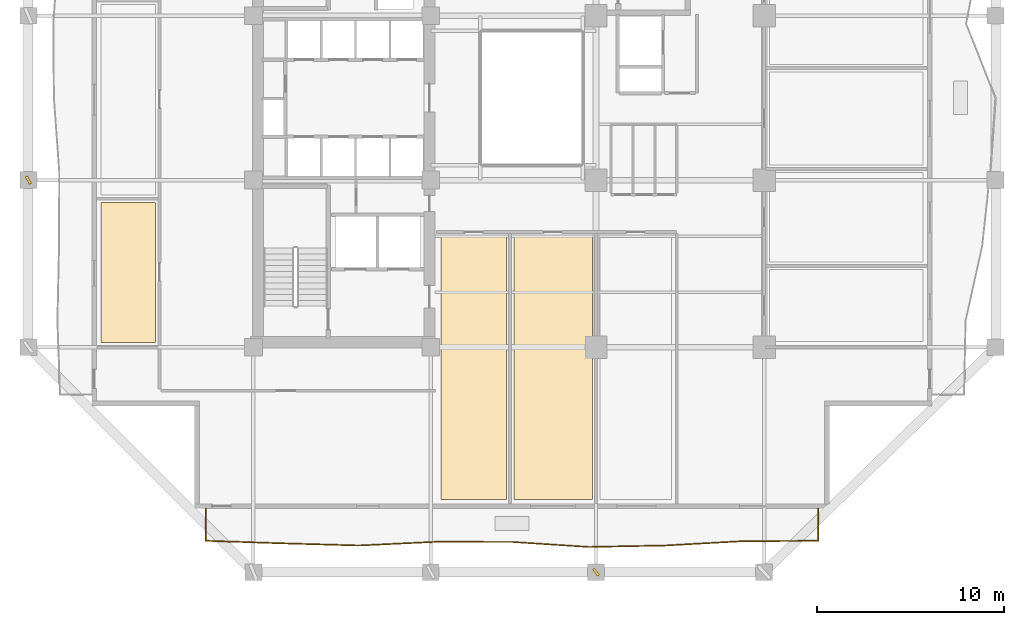
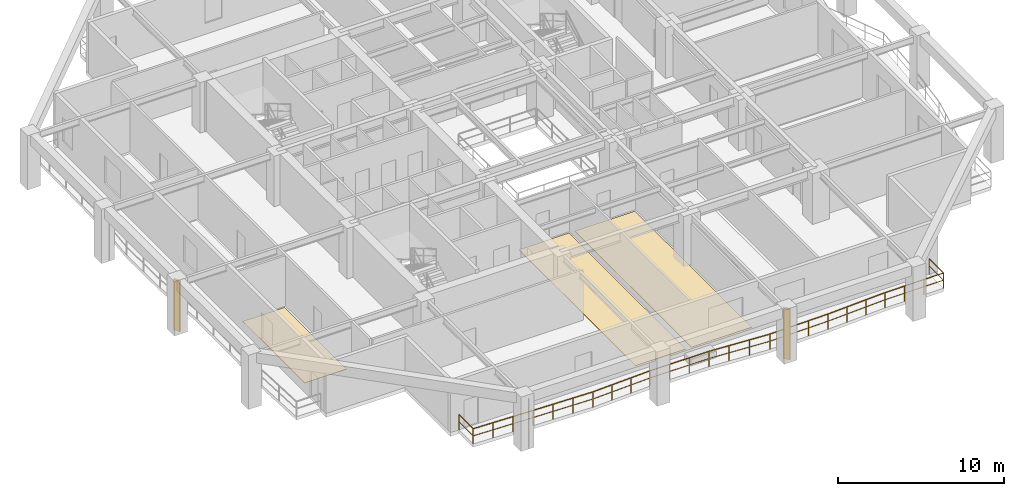
# One storey, part 8 of 13: 3 coverings, 2 shading devices, 1 railing.
"""IFC4 building model written with IfcOpenShell, lengths in metres."""

from ifc_helpers import new_model, si_unit, direction, frame, origin, origin_2d, place, context, subcontext, project, spatial, polyline, rectangle, outline, extrude, material, layer, layer_set, type_object, element, save


model = new_model("IFC4")

# Units and contexts
model_context = context("Model", 3, precision=1e-05, world=origin(), true_north=direction((0.0, 1.0)))
body_context = subcontext(model_context, "Body", "Model", "MODEL_VIEW")
ifc_project = project(units=[si_unit("LENGTHUNIT", "METRE"), si_unit("AREAUNIT", "SQUARE_METRE"), si_unit("VOLUMEUNIT", "CUBIC_METRE"), si_unit("PLANEANGLEUNIT", "RADIAN"), si_unit("MASSUNIT", "GRAM", prefix="KILO")], contexts=[model_context])

# Site, building, storey
site_placement = place(None, origin())
site = spatial("IfcSite", under=ifc_project, at=site_placement, CompositionType="ELEMENT")
building_placement = place(site_placement, origin())
building = spatial("IfcBuilding", under=site, at=building_placement, Name="Kundavana Baori Tower", CompositionType="ELEMENT")
storey_placement = place(building_placement, frame((0.0, 0.0, 50.0)))
storey = spatial("IfcBuildingStorey", under=building, at=storey_placement, Name="L11", CompositionType="ELEMENT", Elevation=50.0)

# Coverings
ifc_material_1 = material(Name="Honed Kota Stone and Terrazzo Flooring", Category="masonry")
ifc_layer = layer(ifc_material_1, 0.030029296875, Name="COV-INT-FLR")
ifc_layer_set = layer_set([ifc_layer], Name="Honed Kota Stone and Terrazzo Flooring")
covering_type = type_object("IfcCoveringType", Name="COV-INT-FLR", PredefinedType="FLOORING", material=ifc_layer_set)
covering_1_placement = place(storey_placement, origin())
element("IfcCovering", 1, at=covering_1_placement, inside=storey, type_object=covering_type, Name="L11 Room Finished Stone Flooring 1", PredefinedType="FLOORING", context=body_context, shape_type="SweptSolid", body=[
    extrude(outline(polyline([(7.280029296875, 15.5), (10.199951171875, 15.5), (10.199951171875, 23.0), (7.280029296875, 23.0), (7.280029296875, 15.5)])), origin(), (0.0, 0.0, 1.0), 0.030029296875),
])
covering_2_placement = place(storey_placement, origin())
element("IfcCovering", 2, at=covering_2_placement, inside=storey, type_object=covering_type, Name="L11 Room Finished Stone Flooring 4", PredefinedType="FLOORING", context=body_context, shape_type="SweptSolid", body=[
    extrude(outline(polyline([(25.5, 7.080078125), (29.0, 7.080078125), (29.0, 21.199951171875), (25.5, 21.199951171875), (25.5, 7.080078125)])), origin(), (0.0, 0.0, 1.0), 0.030029296875),
])
covering_3_placement = place(storey_placement, origin())
element("IfcCovering", 3, at=covering_3_placement, inside=storey, type_object=covering_type, Name="L11 Room Finished Stone Flooring 5", PredefinedType="FLOORING", context=body_context, shape_type="SweptSolid", body=[
    extrude(outline(polyline([(29.39990234375, 7.080078125), (33.60009765625, 7.080078125), (33.60009765625, 21.199951171875), (29.39990234375, 21.199951171875), (29.39990234375, 7.080078125)])), origin(), (0.0, 0.0, 1.0), 0.030029296875),
])

# Railing
ifc_material_2 = material(Name="Architectural Patinated Bronze Metalwork")
railing_type = type_object("IfcRailingType", Name="RL-BAL-1150", PredefinedType="BALUSTRADE", material=ifc_material_2)
railing_placement = place(storey_placement, frame((45.699951171875, 6.60009765625, 0.0)))
element("IfcRailing", 4, at=railing_placement, inside=storey, type_object=railing_type, Name="L11 Loggia Balcony Balustrade S", PredefinedType="BALUSTRADE", context=body_context, shape_type="SweptSolid", body=[
    extrude(rectangle(XDim=0.048095703125, YDim=0.048095703125, at=origin_2d()), frame((0.0, 0.0, 1.1259765625), z_axis=(0.0, -1.0, 0.0), x_axis=(1.0, 0.0, 0.0)), (0.0, 0.0, 1.0), 1.72021484375),
    extrude(rectangle(XDim=0.03125, YDim=0.03125, at=origin_2d()), frame((0.0, 0.0, 0.597900390625), z_axis=(0.0, -1.0, 0.0), x_axis=(1.0, 0.0, 0.0)), (0.0, 0.0, 1.0), 1.72021484375),
    extrude(rectangle(XDim=0.048095703125, YDim=0.048095703125, at=origin_2d()), frame((0.0, -1.72021484375, 1.1259765625), z_axis=(-0.999982972359, -0.005835665533, 0.0), x_axis=(0.005835665533, -0.999982972359, 0.0)), (0.0, 0.0, 1.0), 4.099853515625),
    extrude(rectangle(XDim=0.03125, YDim=0.03125, at=origin_2d()), frame((0.0, -1.72021484375, 0.597900390625), z_axis=(-0.999982972359, -0.005835665533, 0.0), x_axis=(0.005835665533, -0.999982972359, 0.0)), (0.0, 0.0, 1.0), 4.099853515625),
    extrude(rectangle(XDim=0.048095703125, YDim=0.048095703125, at=origin_2d()), frame((-4.099853515625, -1.744140625, 1.1259765625), z_axis=(-0.998443845481, -0.055766364598, 0.0), x_axis=(0.055766364598, -0.998443845481, 0.0)), (0.0, 0.0, 1.0), 4.1064453125),
    extrude(rectangle(XDim=0.03125, YDim=0.03125, at=origin_2d()), frame((-4.099853515625, -1.744140625, 0.597900390625), z_axis=(-0.998443845481, -0.055766364598, 0.0), x_axis=(0.055766364598, -0.998443845481, 0.0)), (0.0, 0.0, 1.0), 4.1064453125),
    extrude(rectangle(XDim=0.048095703125, YDim=0.048095703125, at=origin_2d()), frame((-8.199951171875, -1.97314453125, 1.1259765625), z_axis=(-0.999819646087, -0.018991453323, 0.0), x_axis=(0.018991453323, -0.999819646087, 0.0)), (0.0, 0.0, 1.0), 4.100830078125),
    extrude(rectangle(XDim=0.03125, YDim=0.03125, at=origin_2d()), frame((-8.199951171875, -1.97314453125, 0.597900390625), z_axis=(-0.999819646087, -0.018991453323, 0.0), x_axis=(0.018991453323, -0.999819646087, 0.0)), (0.0, 0.0, 1.0), 4.100830078125),
    extrude(rectangle(XDim=0.048095703125, YDim=0.048095703125, at=origin_2d()), frame((-12.300048828125, -2.051025390625, 1.1259765625), z_axis=(-0.997853767737, 0.065481739537, 0.0), x_axis=(-0.065481739537, -0.997853767737, 0.0)), (0.0, 0.0, 1.0), 4.108642578125),
    extrude(rectangle(XDim=0.03125, YDim=0.03125, at=origin_2d()), frame((-12.300048828125, -2.051025390625, 0.597900390625), z_axis=(-0.997853767737, 0.065481739537, 0.0), x_axis=(-0.065481739537, -0.997853767737, 0.0)), (0.0, 0.0, 1.0), 4.108642578125),
    extrude(rectangle(XDim=0.048095703125, YDim=0.048095703125, at=origin_2d()), frame((-16.39990234375, -1.781982421875, 1.1259765625), z_axis=(-0.999999290878, 0.001190900668, 0.0), x_axis=(-0.001190900668, -0.999999290878, 0.0)), (0.0, 0.0, 1.0), 4.10009765625),
    extrude(rectangle(XDim=0.03125, YDim=0.03125, at=origin_2d()), frame((-16.39990234375, -1.781982421875, 0.597900390625), z_axis=(-0.999999290878, 0.001190900668, 0.0), x_axis=(-0.001190900668, -0.999999290878, 0.0)), (0.0, 0.0, 1.0), 4.10009765625),
    extrude(rectangle(XDim=0.048095703125, YDim=0.048095703125, at=origin_2d()), frame((-20.5, -1.777099609375, 1.1259765625), z_axis=(-0.998858698122, -0.047762968772, 0.0), x_axis=(0.047762968772, -0.998858698122, 0.0)), (0.0, 0.0, 1.0), 4.1044921875),
    extrude(rectangle(XDim=0.03125, YDim=0.03125, at=origin_2d()), frame((-20.5, -1.777099609375, 0.597900390625), z_axis=(-0.998858698122, -0.047762968772, 0.0), x_axis=(0.047762968772, -0.998858698122, 0.0)), (0.0, 0.0, 1.0), 4.1044921875),
    extrude(rectangle(XDim=0.048095703125, YDim=0.048095703125, at=origin_2d()), frame((-24.599853515625, -1.97314453125, 1.1259765625), z_axis=(-0.999600250019, 0.028272604428, 0.0), x_axis=(-0.028272604428, -0.999600250019, 0.0)), (0.0, 0.0, 1.0), 4.101806640625),
    extrude(rectangle(XDim=0.03125, YDim=0.03125, at=origin_2d()), frame((-24.599853515625, -1.97314453125, 0.597900390625), z_axis=(-0.999600250019, 0.028272604428, 0.0), x_axis=(-0.028272604428, -0.999600250019, 0.0)), (0.0, 0.0, 1.0), 4.101806640625),
    extrude(rectangle(XDim=0.048095703125, YDim=0.048095703125, at=origin_2d()), frame((-28.699951171875, -1.857177734375, 1.1259765625), z_axis=(-0.9994425266, 0.033386165144, 0.0), x_axis=(-0.033386165144, -0.9994425266, 0.0)), (0.0, 0.0, 1.0), 4.102294921875),
    extrude(rectangle(XDim=0.03125, YDim=0.03125, at=origin_2d()), frame((-28.699951171875, -1.857177734375, 0.597900390625), z_axis=(-0.9994425266, 0.033386165144, 0.0), x_axis=(-0.033386165144, -0.9994425266, 0.0)), (0.0, 0.0, 1.0), 4.102294921875),
    extrude(rectangle(XDim=0.048095703125, YDim=0.048095703125, at=origin_2d()), frame((-32.800048828125, -1.72021484375, 1.1259765625), z_axis=(0.0, 1.0, 0.0), x_axis=(-1.0, 0.0, 0.0)), (0.0, 0.0, 1.0), 1.72021484375),
    extrude(rectangle(XDim=0.03125, YDim=0.03125, at=origin_2d()), frame((-32.800048828125, -1.72021484375, 0.597900390625), z_axis=(0.0, 1.0, 0.0), x_axis=(-1.0, 0.0, 0.0)), (0.0, 0.0, 1.0), 1.72021484375),
    extrude(rectangle(XDim=0.0419921875, YDim=0.0419921875, at=origin_2d()), origin(), (0.0, 0.0, 1.0), 1.101806640625),
    extrude(rectangle(XDim=0.0419921875, YDim=0.0419921875, at=origin_2d()), frame((0.0, -1.72021484375, 0.0)), (0.0, 0.0, 1.0), 1.101806640625),
    extrude(rectangle(XDim=0.0419921875, YDim=0.0419921875, at=origin_2d()), frame((-1.36669921875, -1.728271484375, 0.0)), (0.0, 0.0, 1.0), 1.101806640625),
    extrude(rectangle(XDim=0.0419921875, YDim=0.0419921875, at=origin_2d()), frame((-2.733154296875, -1.736083984375, 0.0)), (0.0, 0.0, 1.0), 1.101806640625),
    extrude(rectangle(XDim=0.0419921875, YDim=0.0419921875, at=origin_2d()), frame((-4.099853515625, -1.744140625, 0.0)), (0.0, 0.0, 1.0), 1.101806640625),
    extrude(rectangle(XDim=0.0419921875, YDim=0.0419921875, at=origin_2d()), frame((-5.466552734375, -1.820556640625, 0.0)), (0.0, 0.0, 1.0), 1.101806640625),
    extrude(rectangle(XDim=0.0419921875, YDim=0.0419921875, at=origin_2d()), frame((-6.833251953125, -1.896728515625, 0.0)), (0.0, 0.0, 1.0), 1.101806640625),
    extrude(rectangle(XDim=0.0419921875, YDim=0.0419921875, at=origin_2d()), frame((-8.199951171875, -1.97314453125, 0.0)), (0.0, 0.0, 1.0), 1.101806640625),
    extrude(rectangle(XDim=0.0419921875, YDim=0.0419921875, at=origin_2d()), frame((-9.566650390625, -1.9990234375, 0.0)), (0.0, 0.0, 1.0), 1.101806640625),
    extrude(rectangle(XDim=0.0419921875, YDim=0.0419921875, at=origin_2d()), frame((-10.933349609375, -2.025146484375, 0.0)), (0.0, 0.0, 1.0), 1.101806640625),
    extrude(rectangle(XDim=0.0419921875, YDim=0.0419921875, at=origin_2d()), frame((-12.300048828125, -2.051025390625, 0.0)), (0.0, 0.0, 1.0), 1.101806640625),
    extrude(rectangle(XDim=0.0419921875, YDim=0.0419921875, at=origin_2d()), frame((-13.666748046875, -1.96142578125, 0.0)), (0.0, 0.0, 1.0), 1.101806640625),
    extrude(rectangle(XDim=0.0419921875, YDim=0.0419921875, at=origin_2d()), frame((-15.033203125, -1.87158203125, 0.0)), (0.0, 0.0, 1.0), 1.101806640625),
    extrude(rectangle(XDim=0.0419921875, YDim=0.0419921875, at=origin_2d()), frame((-16.39990234375, -1.781982421875, 0.0)), (0.0, 0.0, 1.0), 1.101806640625),
    extrude(rectangle(XDim=0.0419921875, YDim=0.0419921875, at=origin_2d()), frame((-17.7666015625, -1.7802734375, 0.0)), (0.0, 0.0, 1.0), 1.101806640625),
    extrude(rectangle(XDim=0.0419921875, YDim=0.0419921875, at=origin_2d()), frame((-19.13330078125, -1.77880859375, 0.0)), (0.0, 0.0, 1.0), 1.101806640625),
    extrude(rectangle(XDim=0.0419921875, YDim=0.0419921875, at=origin_2d()), frame((-20.5, -1.777099609375, 0.0)), (0.0, 0.0, 1.0), 1.101806640625),
    extrude(rectangle(XDim=0.0419921875, YDim=0.0419921875, at=origin_2d()), frame((-21.86669921875, -1.842529296875, 0.0)), (0.0, 0.0, 1.0), 1.101806640625),
    extrude(rectangle(XDim=0.0419921875, YDim=0.0419921875, at=origin_2d()), frame((-23.233154296875, -1.90771484375, 0.0)), (0.0, 0.0, 1.0), 1.101806640625),
    extrude(rectangle(XDim=0.0419921875, YDim=0.0419921875, at=origin_2d()), frame((-24.599853515625, -1.97314453125, 0.0)), (0.0, 0.0, 1.0), 1.101806640625),
    extrude(rectangle(XDim=0.0419921875, YDim=0.0419921875, at=origin_2d()), frame((-25.966552734375, -1.9345703125, 0.0)), (0.0, 0.0, 1.0), 1.101806640625),
    extrude(rectangle(XDim=0.0419921875, YDim=0.0419921875, at=origin_2d()), frame((-27.333251953125, -1.895751953125, 0.0)), (0.0, 0.0, 1.0), 1.101806640625),
    extrude(rectangle(XDim=0.0419921875, YDim=0.0419921875, at=origin_2d()), frame((-28.699951171875, -1.857177734375, 0.0)), (0.0, 0.0, 1.0), 1.101806640625),
    extrude(rectangle(XDim=0.0419921875, YDim=0.0419921875, at=origin_2d()), frame((-30.066650390625, -1.8115234375, 0.0)), (0.0, 0.0, 1.0), 1.101806640625),
    extrude(rectangle(XDim=0.0419921875, YDim=0.0419921875, at=origin_2d()), frame((-31.433349609375, -1.765869140625, 0.0)), (0.0, 0.0, 1.0), 1.101806640625),
    extrude(rectangle(XDim=0.0419921875, YDim=0.0419921875, at=origin_2d()), frame((-32.800048828125, -1.72021484375, 0.0)), (0.0, 0.0, 1.0), 1.101806640625),
    extrude(rectangle(XDim=0.0419921875, YDim=0.0419921875, at=origin_2d()), frame((-32.800048828125, 0.0, 0.0)), (0.0, 0.0, 1.0), 1.101806640625),
])

# Shading devices
ifc_material_3 = material(Name="Architectural Patinated Bronze Metalwork")
shading_device_type = type_object("IfcShadingDeviceType", Name="SHD-LOUV-450", PredefinedType="SHUTTER", material=ifc_material_3)
for number, where, z_axis, x_axis, name in (
    (5, (33.800048828125, 3.199951171875, 0.0), (0.0, 0.0, 1.0), (0.79473253287, 0.606959801962, 0.0), "L11 Sweeping Dholpur Sandstone Facade Fin 3"),
    (6, (3.39990234375, 24.199951171875, 0.0), (0.0, 0.0, 1.0), (0.884010516411, 0.467467011537, 0.0), "L11 Sweeping Dholpur Sandstone Facade Fin 6"),
):
    element("IfcShadingDevice", number, at=place(storey_placement, frame(where, z_axis=z_axis, x_axis=x_axis)), inside=storey, type_object=shading_device_type, Name=name, PredefinedType="SHUTTER", context=body_context, shape_type="SweptSolid", body=[
        extrude(rectangle(XDim=0.139892578125, YDim=0.449951171875, at=origin_2d()), origin(), (0.0, 0.0, 1.0), 3.719970703125),
    ])

save(model, "model.ifc")
